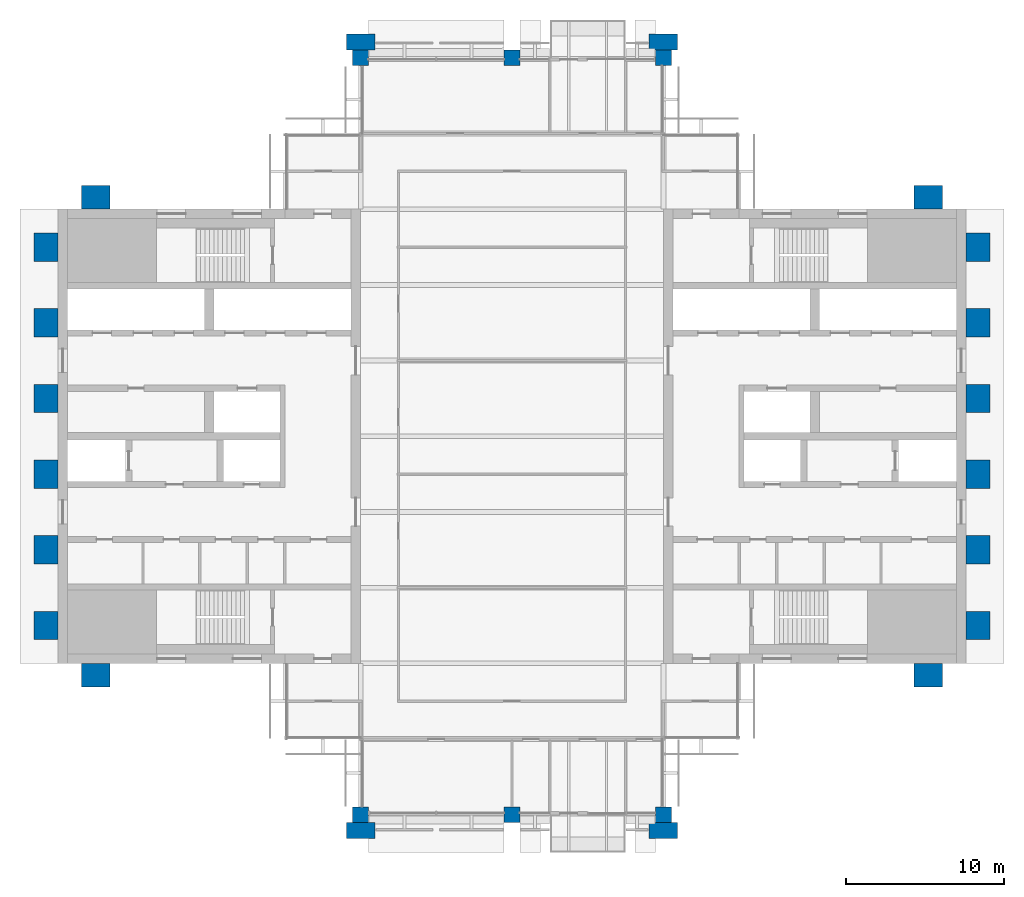
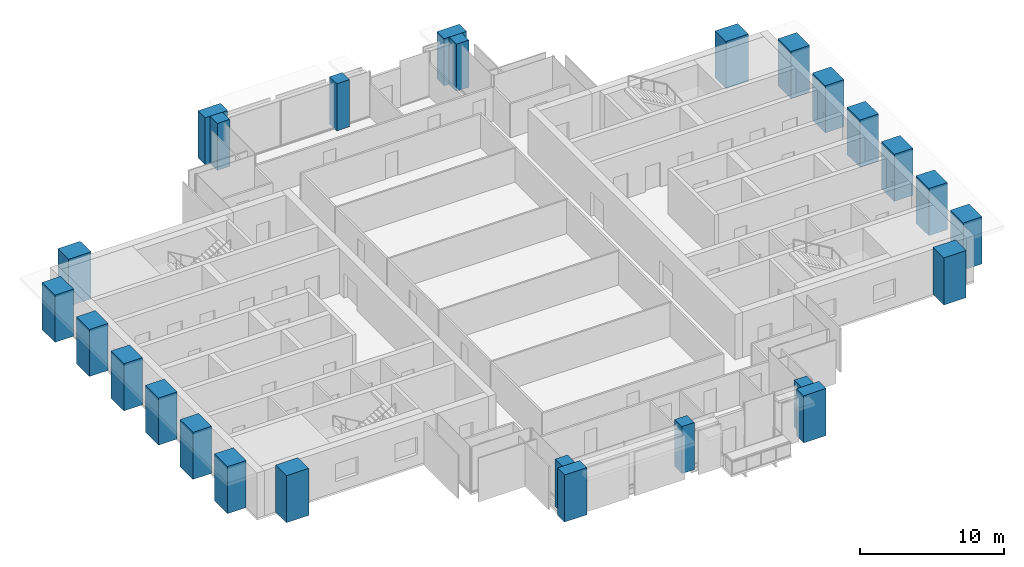
# One storey, part 1 of 13: 26 columns.
"""IFC4 building model written with IfcOpenShell, lengths in metres."""

from ifc_helpers import new_model, si_unit, direction, frame, origin, origin_2d, place, context, subcontext, project, spatial, rectangle, extrude, material, material_profile, profile_set, type_object, element, save


model = new_model("IFC4")

# Units and contexts
model_context = context("Model", 3, precision=1e-05, world=origin(), true_north=direction((0.0, 1.0)))
body_context = subcontext(model_context, "Body", "Model", "MODEL_VIEW")
ifc_project = project(units=[si_unit("LENGTHUNIT", "METRE"), si_unit("AREAUNIT", "SQUARE_METRE"), si_unit("VOLUMEUNIT", "CUBIC_METRE"), si_unit("PLANEANGLEUNIT", "RADIAN"), si_unit("MASSUNIT", "GRAM", prefix="KILO")], contexts=[model_context])

# Site, building, storey
site_placement = place(None, origin())
site = spatial("IfcSite", under=ifc_project, at=site_placement, CompositionType="ELEMENT")
building_placement = place(site_placement, origin())
building = spatial("IfcBuilding", under=site, at=building_placement, Name="Baori Bourse Tower", CompositionType="ELEMENT")
storey_placement = place(building_placement, frame((0.0, 0.0, 326.300048828125)))
storey = spatial("IfcBuildingStorey", under=building, at=storey_placement, Name="L72", CompositionType="ELEMENT", Elevation=326.300048828125)

# Columns
ifc_material_1 = material(Name="Concrete f'c 60 MPa", Category="concrete")
ifc_material_profile_1 = material_profile(ifc_material_1, rectangle(XDim=1.800048828125, YDim=1.0, at=origin_2d()), Name="RC 1800x1000")
ifc_profile_set_1 = profile_set([ifc_material_profile_1], Name="Concrete f'c 60 MPa")
column_type_1 = type_object("IfcColumnType", Name="FN3 Brick pilaster 1800x1000", PredefinedType="PILASTER", material=ifc_profile_set_1)
for number, where, z_axis, x_axis, name in (
    (1, (19.199951171875, -1.0, 0.0), (0.0, 0.0, 1.0), (1.0, 0.0, 0.0), "Brick pilaster L72 17"),
    (2, (38.39990234375, -1.0, 0.0), (0.0, 0.0, 1.0), (1.0, 0.0, 0.0), "Brick pilaster L72 18"),
    (3, (19.199951171875, 49.0, 0.0), (0.0, 0.0, 1.0), (1.0, 0.0, 0.0), "Brick pilaster L72 19"),
    (4, (38.39990234375, 49.0, 0.0), (0.0, 0.0, 1.0), (1.0, 0.0, 0.0), "Brick pilaster L72 20"),
):
    element("IfcColumn", number, at=place(storey_placement, frame(where, z_axis=z_axis, x_axis=x_axis)), inside=storey, type_object=column_type_1, Name=name, PredefinedType="PILASTER", context=body_context, shape_type="SweptSolid", body=[
        extrude(rectangle(XDim=1.800048828125, YDim=1.0, at=origin_2d()), origin(), (0.0, 0.0, 1.0), 4.0),
    ])
ifc_material_2 = material(Name="Concrete f'c 60 MPa", Category="concrete")
ifc_material_profile_2 = material_profile(ifc_material_2, rectangle(XDim=1.800048828125, YDim=1.5, at=origin_2d()), Name="RC 1800x1500")
ifc_profile_set_2 = profile_set([ifc_material_profile_2], Name="Concrete f'c 60 MPa")
column_type_2 = type_object("IfcColumnType", Name="FN4 Brick flank pilaster 1800x1500", PredefinedType="PILASTER", material=ifc_profile_set_2)
for number, where, z_axis, x_axis, name in (
    (5, (55.199951171875, 8.85009765625, 0.0), (0.0, 0.0, 1.0), (1.0, 0.0, 0.0), "Brick pilaster L72 1"),
    (6, (58.35009765625, 12.0, 0.0), (0.0, 0.0, 1.0), (0.0, 1.0, 0.0), "Brick pilaster L72 2"),
    (7, (58.35009765625, 16.800048828125, 0.0), (0.0, 0.0, 1.0), (0.0, 1.0, 0.0), "Brick pilaster L72 3"),
    (8, (58.35009765625, 21.60009765625, 0.0), (0.0, 0.0, 1.0), (0.0, 1.0, 0.0), "Brick pilaster L72 4"),
    (9, (58.35009765625, 26.39990234375, 0.0), (0.0, 0.0, 1.0), (0.0, 1.0, 0.0), "Brick pilaster L72 5"),
    (10, (58.35009765625, 31.199951171875, 0.0), (0.0, 0.0, 1.0), (0.0, 1.0, 0.0), "Brick pilaster L72 6"),
    (11, (58.35009765625, 36.0, 0.0), (0.0, 0.0, 1.0), (0.0, 1.0, 0.0), "Brick pilaster L72 7"),
    (12, (55.199951171875, 39.14990234375, 0.0), (0.0, 0.0, 1.0), (1.0, 0.0, 0.0), "Brick pilaster L72 8"),
    (13, (2.39990234375, 39.14990234375, 0.0), (0.0, 0.0, 1.0), (1.0, 0.0, 0.0), "Brick pilaster L72 9"),
    (14, (-0.75, 12.0, 0.0), (0.0, 0.0, 1.0), (0.0, 1.0, 0.0), "Brick pilaster L72 10"),
    (15, (-0.75, 16.800048828125, 0.0), (0.0, 0.0, 1.0), (0.0, 1.0, 0.0), "Brick pilaster L72 11"),
    (16, (-0.75, 21.60009765625, 0.0), (0.0, 0.0, 1.0), (0.0, 1.0, 0.0), "Brick pilaster L72 12"),
    (17, (-0.75, 26.39990234375, 0.0), (0.0, 0.0, 1.0), (0.0, 1.0, 0.0), "Brick pilaster L72 13"),
    (18, (-0.75, 31.199951171875, 0.0), (0.0, 0.0, 1.0), (0.0, 1.0, 0.0), "Brick pilaster L72 14"),
    (19, (-0.75, 36.0, 0.0), (0.0, 0.0, 1.0), (0.0, 1.0, 0.0), "Brick pilaster L72 15"),
    (20, (2.39990234375, 8.85009765625, 0.0), (0.0, 0.0, 1.0), (1.0, 0.0, 0.0), "Brick pilaster L72 16"),
):
    element("IfcColumn", number, at=place(storey_placement, frame(where, z_axis=z_axis, x_axis=x_axis)), inside=storey, type_object=column_type_2, Name=name, PredefinedType="PILASTER", context=body_context, shape_type="SweptSolid", body=[
        extrude(rectangle(XDim=1.800048828125, YDim=1.5, at=origin_2d()), origin(), (0.0, 0.0, 1.0), 4.0),
    ])
ifc_material_3 = material(Name="Concrete f'c 40 MPa", Category="concrete")
ifc_material_profile_3 = material_profile(ifc_material_3, rectangle(XDim=1.0, YDim=1.0, at=origin_2d()), Name="RC 1000x1000")
ifc_profile_set_3 = profile_set([ifc_material_profile_3], Name="Concrete f'c 40 MPa")
column_type_3 = type_object("IfcColumnType", Name="Perimeter column 40 RC 1000x1000", PredefinedType="COLUMN", material=ifc_profile_set_3)
for number, where, z_axis, x_axis, name in (
    (21, (19.199951171875, 0.0, 0.0), (0.0, 0.0, 1.0), (1.0, 0.0, 0.0), "Perimeter column L72"),
    (22, (28.800048828125, 0.0, 0.0), (0.0, 0.0, 1.0), (1.0, 0.0, 0.0), "Perimeter column L72"),
    (23, (38.39990234375, 0.0, 0.0), (0.0, 0.0, 1.0), (1.0, 0.0, 0.0), "Perimeter column L72"),
    (24, (19.199951171875, 48.0, 0.0), (0.0, 0.0, 1.0), (1.0, 0.0, 0.0), "Perimeter column L72"),
    (25, (28.800048828125, 48.0, 0.0), (0.0, 0.0, 1.0), (1.0, 0.0, 0.0), "Perimeter column L72"),
    (26, (38.39990234375, 48.0, 0.0), (0.0, 0.0, 1.0), (1.0, 0.0, 0.0), "Perimeter column L72"),
):
    element("IfcColumn", number, at=place(storey_placement, frame(where, z_axis=z_axis, x_axis=x_axis)), inside=storey, type_object=column_type_3, Name=name, PredefinedType="COLUMN", context=body_context, shape_type="SweptSolid", body=[
        extrude(rectangle(XDim=1.0, YDim=1.0, at=origin_2d()), origin(), (0.0, 0.0, 1.0), 4.0),
    ])

save(model, "model.ifc")
